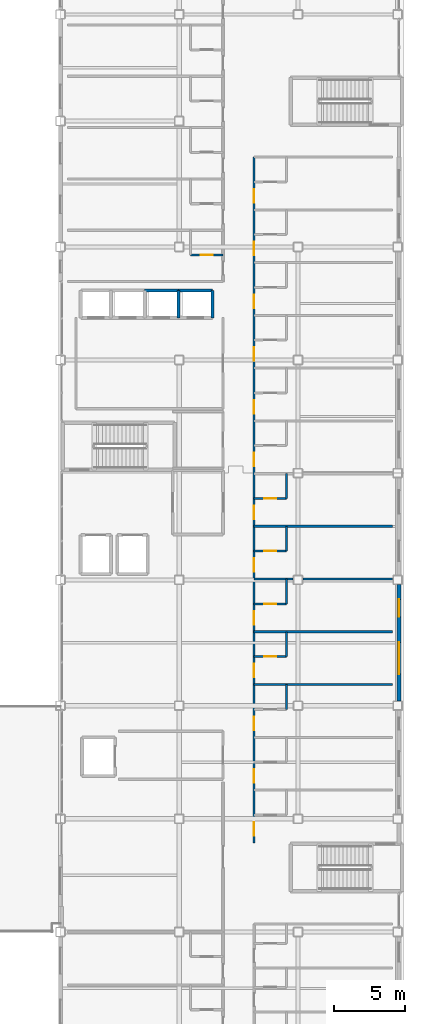
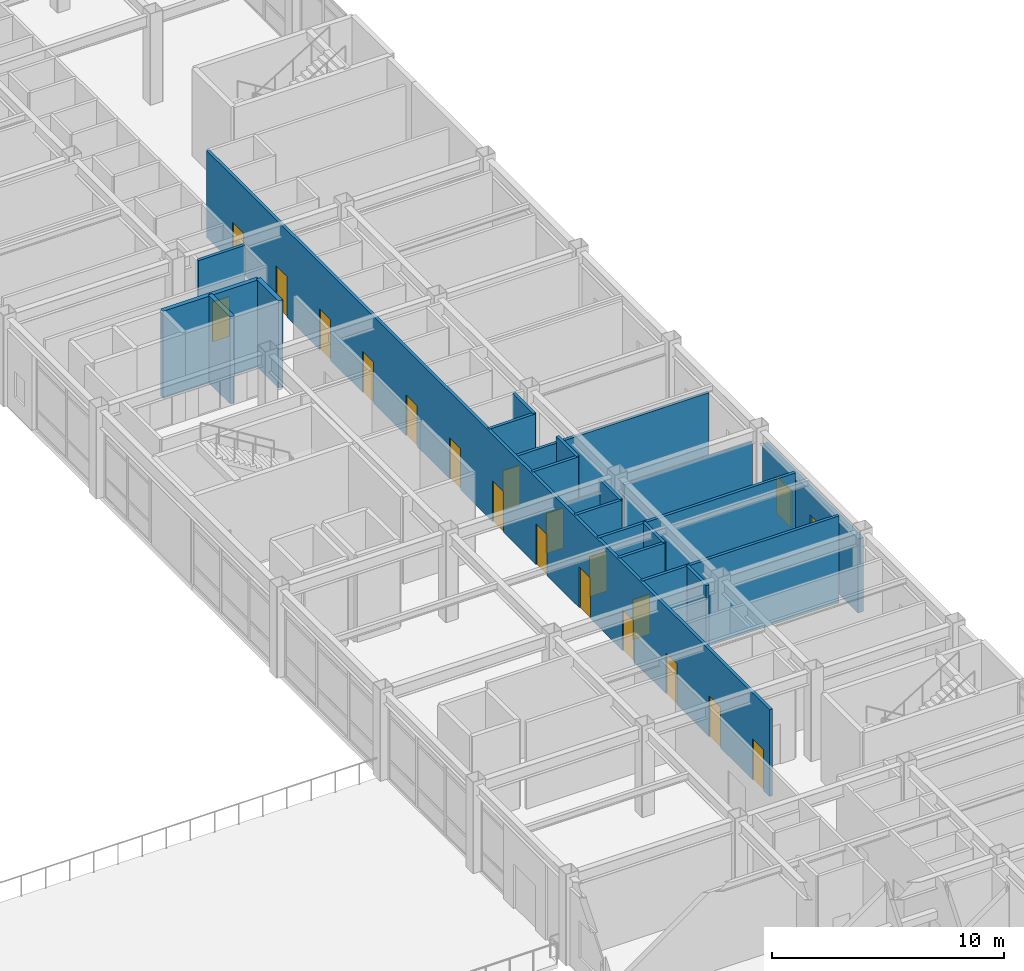
# One storey, part 52 of 61: 21 walls, 18 doors, 2 windows, 20 openings.
"""IFC4 building model written with IfcOpenShell, lengths in metres."""

from ifc_helpers import new_model, si_unit, direction, frame, frame_2d, origin, place, context, subcontext, project, spatial, rectangle, extrude, material, layer, layer_set, type_object, element, fill, save


model = new_model("IFC4")

# Units and contexts
model_context = context("Model", 3, precision=1e-05, world=origin(), true_north=direction((0.0, 1.0)))
body_context = subcontext(model_context, "Body", "Model", "MODEL_VIEW")
ifc_project = project(units=[si_unit("LENGTHUNIT", "METRE"), si_unit("AREAUNIT", "SQUARE_METRE"), si_unit("VOLUMEUNIT", "CUBIC_METRE"), si_unit("PLANEANGLEUNIT", "RADIAN"), si_unit("MASSUNIT", "GRAM", prefix="KILO")], contexts=[model_context])

# Site, building, storey
site_placement = place(None, origin())
site = spatial("IfcSite", under=ifc_project, at=site_placement, CompositionType="ELEMENT")
building_placement = place(site_placement, origin())
building = spatial("IfcBuilding", under=site, at=building_placement, Name="Kazehara Bluff Congress Hotel", CompositionType="ELEMENT")
storey_placement = place(building_placement, frame((0.0, 0.0, 19.800048828125)))
storey = spatial("IfcBuildingStorey", under=building, at=storey_placement, Name="L04", CompositionType="ELEMENT", Elevation=19.800048828125)

# Wall, openings, windows
ifc_material_1 = material(Name="Precast concrete C40/50", Category="concrete")
ifc_layer_1 = layer(ifc_material_1, 0.260009765625)
ifc_layer_set_1 = layer_set([ifc_layer_1], Name="Precast concrete C40/50")
wall_type_1 = type_object("IfcWallType", Name="TP-EW-260", PredefinedType="SOLIDWALL", material=ifc_layer_set_1)
wall_1_placement = place(storey_placement, frame((167.64990234375, 40.574951171875, 0.0), z_axis=(0.0, 0.0, 1.0), x_axis=(0.0, -1.0, 0.0)))
wall_1 = element("IfcWall", 1, at=wall_1_placement, inside=storey, type_object=wall_type_1, Name="L04 hotel facade panel 28", PredefinedType="SOLIDWALL", context=body_context, shape_type="SweptSolid", body=[
    extrude(rectangle(XDim=8.25, YDim=0.260009765625, at=frame_2d((4.125, 0.0))), origin(), (0.0, 0.0, 1.0), 3.905029296875),
])
opening_1_placement = place(wall_1_placement, frame((4.094970703125, 0.0, 0.85009765625)))
opening_1 = element("IfcOpeningElement", 2, at=opening_1_placement, cuts=wall_1, Name="Opening WN-54", PredefinedType="OPENING", context=body_context, shape_type="SweptSolid", body=[
    extrude(rectangle(XDim=2.25, YDim=1.800048828125, at=frame_2d((1.125, 0.89990234375))), frame((0.0, 0.139892578125, 0.0), z_axis=(0.0, -1.0, 0.0), x_axis=(1.0, 0.0, 0.0)), (0.0, 0.0, 1.0), 0.280029296875),
])
opening_2_placement = place(wall_1_placement, frame((1.050048828125, 0.0, 0.85009765625)))
opening_2 = element("IfcOpeningElement", 3, at=opening_2_placement, cuts=wall_1, Name="Opening WN-10", PredefinedType="OPENING", context=body_context, shape_type="SweptSolid", body=[
    extrude(rectangle(XDim=1.25, YDim=1.949951171875, at=frame_2d((0.625, 0.97509765625))), frame((0.0, 0.139892578125, 0.0), z_axis=(0.0, -1.0, 0.0), x_axis=(1.0, 0.0, 0.0)), (0.0, 0.0, 1.0), 0.280029296875),
])
ifc_material_2 = material(Name="Insulated low-E double glazing", Category="glass")
window_type_1 = type_object("IfcWindowType", Name="TP-WN-10", PartitioningType="SINGLE_PANEL", PredefinedType="WINDOW", material=ifc_material_2)
window_1_placement = place(opening_2_placement, origin())
window_1 = element("IfcWindow", 4, at=window_1_placement, inside=storey, type_object=window_type_1, Name="L04 guestroom window WN-10 40", OverallHeight=1.949951171875, OverallWidth=1.25, PartitioningType="SINGLE_PANEL", PredefinedType="WINDOW", context=body_context, shape_type="SweptSolid", body=[
    extrude(rectangle(XDim=1.25, YDim=1.949951171875, at=frame_2d((0.625, 0.97509765625))), frame((0.0, 0.030029296875, 0.0), z_axis=(0.0, -1.0, 0.0), x_axis=(1.0, 0.0, 0.0)), (0.0, 0.0, 1.0), 0.06005859375),
])
fill(opening_2, window_1)
ifc_material_3 = material(Name="Insulated low-E double glazing", Category="glass")
window_type_2 = type_object("IfcWindowType", Name="TP-WN-54", PartitioningType="DOUBLE_PANEL_VERTICAL", PredefinedType="WINDOW", material=ifc_material_3)
window_2_placement = place(opening_1_placement, origin())
window_2 = element("IfcWindow", 5, at=window_2_placement, inside=storey, type_object=window_type_2, Name="L04 guestroom window WN-54 39", OverallHeight=1.800048828125, OverallWidth=2.25, PartitioningType="SINGLE_PANEL", PredefinedType="WINDOW", context=body_context, shape_type="SweptSolid", body=[
    extrude(rectangle(XDim=2.25, YDim=1.800048828125, at=frame_2d((1.125, 0.89990234375))), frame((0.0, 0.030029296875, 0.0), z_axis=(0.0, -1.0, 0.0), x_axis=(1.0, 0.0, 0.0)), (0.0, 0.0, 1.0), 0.06005859375),
])
fill(opening_1, window_2)

# Wall
ifc_material_4 = material(Name="Fire-rated gypsum board stud partition")
ifc_layer_2 = layer(ifc_material_4, 0.14990234375)
ifc_layer_set_2 = layer_set([ifc_layer_2], Name="Fire-rated gypsum board stud partition")
wall_type_2 = type_object("IfcWallType", Name="TP-PT-150", PredefinedType="PARTITIONING", material=ifc_layer_set_2)
wall_2_placement = place(storey_placement, frame((157.39990234375, 33.489990234375, 0.0), z_axis=(0.0, 0.0, 1.0), x_axis=(1.0, 0.0, 0.0)))
element("IfcWall", 6, at=wall_2_placement, inside=storey, type_object=wall_type_2, Name="L04 partition PT-150 397", PredefinedType="PARTITIONING", context=body_context, shape_type="SweptSolid", body=[
    extrude(rectangle(XDim=9.800048828125, YDim=0.14990234375, at=frame_2d((4.89990234375, 0.0))), origin(), (0.0, 0.0, 1.0), 4.56494140625),
])

# Wall, opening, door
wall_3_placement = place(storey_placement, frame((157.39990234375, 35.47998046875, 0.0), z_axis=(0.0, 0.0, 1.0), x_axis=(1.0, 0.0, 0.0)))
wall_3 = element("IfcWall", 7, at=wall_3_placement, inside=storey, type_object=wall_type_2, Name="L04 partition PT-150 398", PredefinedType="PARTITIONING", context=body_context, shape_type="SweptSolid", body=[
    extrude(rectangle(XDim=2.300048828125, YDim=0.14990234375, at=frame_2d((1.14990234375, 0.0))), origin(), (0.0, 0.0, 1.0), 4.56494140625),
])
opening_3_placement = place(wall_3_placement, frame((0.72509765625, 0.0, 0.0)))
opening_3 = element("IfcOpeningElement", 8, at=opening_3_placement, cuts=wall_3, Name="Opening BD-01", PredefinedType="OPENING", context=body_context, shape_type="SweptSolid", body=[
    extrude(rectangle(XDim=0.85009765625, YDim=2.10009765625, at=frame_2d((0.425048828125, 1.050048828125))), frame((0.0, 0.0849609375, 0.0), z_axis=(0.0, -1.0, 0.0), x_axis=(1.0, 0.0, 0.0)), (0.0, 0.0, 1.0), 0.169921875),
])
ifc_material_5 = material(Name="Architectural oak veneer leaf")
door_type_1 = type_object("IfcDoorType", Name="TP-BD-01", OperationType="NOTDEFINED", PredefinedType="DOOR", material=ifc_material_5)
door_1_placement = place(opening_3_placement, origin())
door_1 = element("IfcDoor", 9, at=door_1_placement, inside=storey, type_object=door_type_1, Name="L04 En-suite Bathroom 57 door", OperationType="SINGLE_SWING_LEFT", OverallHeight=2.10009765625, OverallWidth=0.85009765625, PredefinedType="DOOR", context=body_context, shape_type="SweptSolid", body=[
    extrude(rectangle(XDim=0.85009765625, YDim=2.10009765625, at=frame_2d((0.425048828125, 1.050048828125))), frame((0.0, 0.02490234375, 0.0), z_axis=(0.0, -1.0, 0.0), x_axis=(1.0, 0.0, 0.0)), (0.0, 0.0, 1.0), 0.050048828125),
])
fill(opening_3, door_1)

# Wall
wall_4_placement = place(storey_placement, frame((157.39990234375, 37.22998046875, 0.0), z_axis=(0.0, 0.0, 1.0), x_axis=(1.0, 0.0, 0.0)))
element("IfcWall", 10, at=wall_4_placement, inside=storey, type_object=wall_type_2, Name="L04 partition PT-150 399", PredefinedType="PARTITIONING", context=body_context, shape_type="SweptSolid", body=[
    extrude(rectangle(XDim=9.800048828125, YDim=0.14990234375, at=frame_2d((4.89990234375, 0.0))), origin(), (0.0, 0.0, 1.0), 4.56494140625),
])

# Wall, opening, door
wall_5_placement = place(storey_placement, frame((157.39990234375, 39.199951171875, 0.0), z_axis=(0.0, 0.0, 1.0), x_axis=(1.0, 0.0, 0.0)))
wall_5 = element("IfcWall", 11, at=wall_5_placement, inside=storey, type_object=wall_type_2, Name="L04 partition PT-150 400", PredefinedType="PARTITIONING", context=body_context, shape_type="SweptSolid", body=[
    extrude(rectangle(XDim=2.300048828125, YDim=0.14990234375, at=frame_2d((1.14990234375, 0.0))), origin(), (0.0, 0.0, 1.0), 4.56494140625),
])
opening_4_placement = place(wall_5_placement, frame((0.72509765625, 0.0, 0.0)))
opening_4 = element("IfcOpeningElement", 12, at=opening_4_placement, cuts=wall_5, Name="Opening BD-01", PredefinedType="OPENING", context=body_context, shape_type="SweptSolid", body=[
    extrude(rectangle(XDim=0.85009765625, YDim=2.10009765625, at=frame_2d((0.425048828125, 1.050048828125))), frame((0.0, 0.0849609375, 0.0), z_axis=(0.0, -1.0, 0.0), x_axis=(1.0, 0.0, 0.0)), (0.0, 0.0, 1.0), 0.169921875),
])
door_2_placement = place(opening_4_placement, origin())
door_2 = element("IfcDoor", 13, at=door_2_placement, inside=storey, type_object=door_type_1, Name="L04 En-suite Bathroom 58 door", OperationType="SINGLE_SWING_LEFT", OverallHeight=2.10009765625, OverallWidth=0.85009765625, PredefinedType="DOOR", context=body_context, shape_type="SweptSolid", body=[
    extrude(rectangle(XDim=0.85009765625, YDim=2.10009765625, at=frame_2d((0.425048828125, 1.050048828125))), frame((0.0, 0.02490234375, 0.0), z_axis=(0.0, -1.0, 0.0), x_axis=(1.0, 0.0, 0.0)), (0.0, 0.0, 1.0), 0.050048828125),
])
fill(opening_4, door_2)

# Walls
wall_6_placement = place(storey_placement, frame((157.39990234375, 40.949951171875, 0.0), z_axis=(0.0, 0.0, 1.0), x_axis=(1.0, 0.0, 0.0)))
element("IfcWall", 14, at=wall_6_placement, inside=storey, type_object=wall_type_2, Name="L04 partition PT-150 401", PredefinedType="PARTITIONING", context=body_context, shape_type="SweptSolid", body=[
    extrude(rectangle(XDim=2.755126953125, YDim=0.14990234375, at=frame_2d((1.37744140625, 0.0))), origin(), (0.0, 0.0, 1.0), 3.905029296875),
])
wall_7_placement = place(storey_placement, frame((160.844970703125, 40.949951171875, 0.0), z_axis=(0.0, 0.0, 1.0), x_axis=(1.0, 0.0, 0.0)))
element("IfcWall", 15, at=wall_7_placement, inside=storey, type_object=wall_type_2, Name="L04 partition PT-150 402", PredefinedType="PARTITIONING", context=body_context, shape_type="SweptSolid", body=[
    extrude(rectangle(XDim=6.35498046875, YDim=0.14990234375, at=frame_2d((3.177490234375, 0.0))), origin(), (0.0, 0.0, 1.0), 3.905029296875),
])

# Wall, opening, door
wall_8_placement = place(storey_placement, frame((157.39990234375, 42.93994140625, 0.0), z_axis=(0.0, 0.0, 1.0), x_axis=(1.0, 0.0, 0.0)))
wall_8 = element("IfcWall", 16, at=wall_8_placement, inside=storey, type_object=wall_type_2, Name="L04 partition PT-150 403", PredefinedType="PARTITIONING", context=body_context, shape_type="SweptSolid", body=[
    extrude(rectangle(XDim=2.300048828125, YDim=0.14990234375, at=frame_2d((1.14990234375, 0.0))), origin(), (0.0, 0.0, 1.0), 4.56494140625),
])
opening_5_placement = place(wall_8_placement, frame((0.72509765625, 0.0, 0.0)))
opening_5 = element("IfcOpeningElement", 17, at=opening_5_placement, cuts=wall_8, Name="Opening BD-01", PredefinedType="OPENING", context=body_context, shape_type="SweptSolid", body=[
    extrude(rectangle(XDim=0.85009765625, YDim=2.10009765625, at=frame_2d((0.425048828125, 1.050048828125))), frame((0.0, 0.0849609375, 0.0), z_axis=(0.0, -1.0, 0.0), x_axis=(1.0, 0.0, 0.0)), (0.0, 0.0, 1.0), 0.169921875),
])
door_3_placement = place(opening_5_placement, origin())
door_3 = element("IfcDoor", 18, at=door_3_placement, inside=storey, type_object=door_type_1, Name="L04 En-suite Bathroom 59 door", OperationType="SINGLE_SWING_LEFT", OverallHeight=2.10009765625, OverallWidth=0.85009765625, PredefinedType="DOOR", context=body_context, shape_type="SweptSolid", body=[
    extrude(rectangle(XDim=0.85009765625, YDim=2.10009765625, at=frame_2d((0.425048828125, 1.050048828125))), frame((0.0, 0.02490234375, 0.0), z_axis=(0.0, -1.0, 0.0), x_axis=(1.0, 0.0, 0.0)), (0.0, 0.0, 1.0), 0.050048828125),
])
fill(opening_5, door_3)

# Wall
wall_9_placement = place(storey_placement, frame((157.39990234375, 44.68994140625, 0.0), z_axis=(0.0, 0.0, 1.0), x_axis=(1.0, 0.0, 0.0)))
element("IfcWall", 19, at=wall_9_placement, inside=storey, type_object=wall_type_2, Name="L04 partition PT-150 405", PredefinedType="PARTITIONING", context=body_context, shape_type="SweptSolid", body=[
    extrude(rectangle(XDim=9.800048828125, YDim=0.14990234375, at=frame_2d((4.89990234375, 0.0))), origin(), (0.0, 0.0, 1.0), 4.2548828125),
])

# Wall, opening, door
wall_10_placement = place(storey_placement, frame((157.39990234375, 46.659912109375, 0.0), z_axis=(0.0, 0.0, 1.0), x_axis=(1.0, 0.0, 0.0)))
wall_10 = element("IfcWall", 20, at=wall_10_placement, inside=storey, type_object=wall_type_2, Name="L04 partition PT-150 406", PredefinedType="PARTITIONING", context=body_context, shape_type="SweptSolid", body=[
    extrude(rectangle(XDim=2.300048828125, YDim=0.14990234375, at=frame_2d((1.14990234375, 0.0))), origin(), (0.0, 0.0, 1.0), 4.56494140625),
])
opening_6_placement = place(wall_10_placement, frame((0.72509765625, 0.0, 0.0)))
opening_6 = element("IfcOpeningElement", 21, at=opening_6_placement, cuts=wall_10, Name="Opening BD-01", PredefinedType="OPENING", context=body_context, shape_type="SweptSolid", body=[
    extrude(rectangle(XDim=0.85009765625, YDim=2.10009765625, at=frame_2d((0.425048828125, 1.050048828125))), frame((0.0, 0.0849609375, 0.0), z_axis=(0.0, -1.0, 0.0), x_axis=(1.0, 0.0, 0.0)), (0.0, 0.0, 1.0), 0.169921875),
])
door_4_placement = place(opening_6_placement, origin())
door_4 = element("IfcDoor", 22, at=door_4_placement, inside=storey, type_object=door_type_1, Name="L04 En-suite Bathroom 60 door", OperationType="SINGLE_SWING_LEFT", OverallHeight=2.10009765625, OverallWidth=0.85009765625, PredefinedType="DOOR", context=body_context, shape_type="SweptSolid", body=[
    extrude(rectangle(XDim=0.85009765625, YDim=2.10009765625, at=frame_2d((0.425048828125, 1.050048828125))), frame((0.0, 0.02490234375, 0.0), z_axis=(0.0, -1.0, 0.0), x_axis=(1.0, 0.0, 0.0)), (0.0, 0.0, 1.0), 0.050048828125),
])
fill(opening_6, door_4)

wall_11_placement = place(storey_placement, frame((152.89990234375, 63.8798828125, 0.0), z_axis=(0.0, 0.0, 1.0), x_axis=(1.0, 0.0, 0.0)))
wall_11 = element("IfcWall", 23, at=wall_11_placement, inside=storey, type_object=wall_type_2, Name="L04 partition PT-150 423", PredefinedType="PARTITIONING", context=body_context, shape_type="SweptSolid", body=[
    extrude(rectangle(XDim=2.300048828125, YDim=0.14990234375, at=frame_2d((1.14990234375, 0.0))), origin(), (0.0, 0.0, 1.0), 4.56494140625),
])
opening_7_placement = place(wall_11_placement, frame((0.72509765625, 0.0, 0.0)))
opening_7 = element("IfcOpeningElement", 24, at=opening_7_placement, cuts=wall_11, Name="Opening BD-01", PredefinedType="OPENING", context=body_context, shape_type="SweptSolid", body=[
    extrude(rectangle(XDim=0.85009765625, YDim=2.10009765625, at=frame_2d((0.425048828125, 1.050048828125))), frame((0.0, 0.0849609375, 0.0), z_axis=(0.0, -1.0, 0.0), x_axis=(1.0, 0.0, 0.0)), (0.0, 0.0, 1.0), 0.169921875),
])
door_5_placement = place(opening_7_placement, origin())
door_5 = element("IfcDoor", 25, at=door_5_placement, inside=storey, type_object=door_type_1, Name="L04 En-suite Bathroom 35 door", OperationType="SINGLE_SWING_LEFT", OverallHeight=2.10009765625, OverallWidth=0.85009765625, PredefinedType="DOOR", context=body_context, shape_type="SweptSolid", body=[
    extrude(rectangle(XDim=0.85009765625, YDim=2.10009765625, at=frame_2d((0.425048828125, 1.050048828125))), frame((0.0, 0.02490234375, 0.0), z_axis=(0.0, -1.0, 0.0), x_axis=(1.0, 0.0, 0.0)), (0.0, 0.0, 1.0), 0.050048828125),
])
fill(opening_7, door_5)

# Wall, openings, doors
wall_12_placement = place(storey_placement, frame((157.39990234375, 22.300048828125, 0.0), z_axis=(0.0, 0.0, 1.0), x_axis=(0.0, 1.0, 0.0)))
wall_12 = element("IfcWall", 26, at=wall_12_placement, inside=storey, type_object=wall_type_2, Name="L04 partition PT-150 486", PredefinedType="PARTITIONING", context=body_context, shape_type="SweptSolid", body=[
    extrude(rectangle(XDim=48.5, YDim=0.14990234375, at=frame_2d((24.25, 0.0))), origin(), (0.0, 0.0, 1.0), 4.56494140625),
])
opening_8_placement = place(wall_12_placement, frame((0.514892578125, 0.0, 0.0)))
opening_8 = element("IfcOpeningElement", 27, at=opening_8_placement, cuts=wall_12, Name="Opening GD-01", PredefinedType="OPENING", context=body_context, shape_type="SweptSolid", body=[
    extrude(rectangle(XDim=0.949951171875, YDim=2.14990234375, at=frame_2d((0.47509765625, 1.074951171875))), frame((0.0, 0.0849609375, 0.0), z_axis=(0.0, -1.0, 0.0), x_axis=(1.0, 0.0, 0.0)), (0.0, 0.0, 1.0), 0.169921875),
])
opening_9_placement = place(wall_12_placement, frame((4.2451171875, 0.0, 0.0)))
opening_9 = element("IfcOpeningElement", 28, at=opening_9_placement, cuts=wall_12, Name="Opening GD-01", PredefinedType="OPENING", context=body_context, shape_type="SweptSolid", body=[
    extrude(rectangle(XDim=0.949951171875, YDim=2.14990234375, at=frame_2d((0.47509765625, 1.074951171875))), frame((0.0, 0.0849609375, 0.0), z_axis=(0.0, -1.0, 0.0), x_axis=(1.0, 0.0, 0.0)), (0.0, 0.0, 1.0), 0.169921875),
])
opening_10_placement = place(wall_12_placement, frame((7.97509765625, 0.0, 0.0)))
opening_10 = element("IfcOpeningElement", 29, at=opening_10_placement, cuts=wall_12, Name="Opening GD-01", PredefinedType="OPENING", context=body_context, shape_type="SweptSolid", body=[
    extrude(rectangle(XDim=0.949951171875, YDim=2.14990234375, at=frame_2d((0.47509765625, 1.074951171875))), frame((0.0, 0.0849609375, 0.0), z_axis=(0.0, -1.0, 0.0), x_axis=(1.0, 0.0, 0.0)), (0.0, 0.0, 1.0), 0.169921875),
])
opening_11_placement = place(wall_12_placement, frame((11.7099609375, 0.0, 0.0)))
opening_11 = element("IfcOpeningElement", 30, at=opening_11_placement, cuts=wall_12, Name="Opening GD-01", PredefinedType="OPENING", context=body_context, shape_type="SweptSolid", body=[
    extrude(rectangle(XDim=0.949951171875, YDim=2.14990234375, at=frame_2d((0.47509765625, 1.074951171875))), frame((0.0, 0.0849609375, 0.0), z_axis=(0.0, -1.0, 0.0), x_axis=(1.0, 0.0, 0.0)), (0.0, 0.0, 1.0), 0.169921875),
])
opening_12_placement = place(wall_12_placement, frame((15.43994140625, 0.0, 0.0)))
opening_12 = element("IfcOpeningElement", 31, at=opening_12_placement, cuts=wall_12, Name="Opening GD-01", PredefinedType="OPENING", context=body_context, shape_type="SweptSolid", body=[
    extrude(rectangle(XDim=0.949951171875, YDim=2.14990234375, at=frame_2d((0.47509765625, 1.074951171875))), frame((0.0, 0.0849609375, 0.0), z_axis=(0.0, -1.0, 0.0), x_axis=(1.0, 0.0, 0.0)), (0.0, 0.0, 1.0), 0.169921875),
])
opening_13_placement = place(wall_12_placement, frame((19.169921875, 0.0, 0.0)))
opening_13 = element("IfcOpeningElement", 32, at=opening_13_placement, cuts=wall_12, Name="Opening GD-01", PredefinedType="OPENING", context=body_context, shape_type="SweptSolid", body=[
    extrude(rectangle(XDim=0.949951171875, YDim=2.14990234375, at=frame_2d((0.47509765625, 1.074951171875))), frame((0.0, 0.0849609375, 0.0), z_axis=(0.0, -1.0, 0.0), x_axis=(1.0, 0.0, 0.0)), (0.0, 0.0, 1.0), 0.169921875),
])
opening_14_placement = place(wall_12_placement, frame((22.89990234375, 0.0, 0.0)))
opening_14 = element("IfcOpeningElement", 33, at=opening_14_placement, cuts=wall_12, Name="Opening GD-01", PredefinedType="OPENING", context=body_context, shape_type="SweptSolid", body=[
    extrude(rectangle(XDim=0.949951171875, YDim=2.14990234375, at=frame_2d((0.47509765625, 1.074951171875))), frame((0.0, 0.0849609375, 0.0), z_axis=(0.0, -1.0, 0.0), x_axis=(1.0, 0.0, 0.0)), (0.0, 0.0, 1.0), 0.169921875),
])
opening_15_placement = place(wall_12_placement, frame((26.6298828125, 0.0, 0.0)))
opening_15 = element("IfcOpeningElement", 34, at=opening_15_placement, cuts=wall_12, Name="Opening GD-01", PredefinedType="OPENING", context=body_context, shape_type="SweptSolid", body=[
    extrude(rectangle(XDim=0.949951171875, YDim=2.14990234375, at=frame_2d((0.47509765625, 1.074951171875))), frame((0.0, 0.0849609375, 0.0), z_axis=(0.0, -1.0, 0.0), x_axis=(1.0, 0.0, 0.0)), (0.0, 0.0, 1.0), 0.169921875),
])
opening_16_placement = place(wall_12_placement, frame((30.360107421875, 0.0, 0.0)))
opening_16 = element("IfcOpeningElement", 35, at=opening_16_placement, cuts=wall_12, Name="Opening GD-01", PredefinedType="OPENING", context=body_context, shape_type="SweptSolid", body=[
    extrude(rectangle(XDim=0.949951171875, YDim=2.14990234375, at=frame_2d((0.47509765625, 1.074951171875))), frame((0.0, 0.0849609375, 0.0), z_axis=(0.0, -1.0, 0.0), x_axis=(1.0, 0.0, 0.0)), (0.0, 0.0, 1.0), 0.169921875),
])
opening_17_placement = place(wall_12_placement, frame((34.090087890625, 0.0, 0.0)))
opening_17 = element("IfcOpeningElement", 36, at=opening_17_placement, cuts=wall_12, Name="Opening GD-01", PredefinedType="OPENING", context=body_context, shape_type="SweptSolid", body=[
    extrude(rectangle(XDim=0.949951171875, YDim=2.14990234375, at=frame_2d((0.47509765625, 1.074951171875))), frame((0.0, 0.0849609375, 0.0), z_axis=(0.0, -1.0, 0.0), x_axis=(1.0, 0.0, 0.0)), (0.0, 0.0, 1.0), 0.169921875),
])
opening_18_placement = place(wall_12_placement, frame((37.824951171875, 0.0, 0.0)))
opening_18 = element("IfcOpeningElement", 37, at=opening_18_placement, cuts=wall_12, Name="Opening GD-01", PredefinedType="OPENING", context=body_context, shape_type="SweptSolid", body=[
    extrude(rectangle(XDim=0.949951171875, YDim=2.14990234375, at=frame_2d((0.47509765625, 1.074951171875))), frame((0.0, 0.0849609375, 0.0), z_axis=(0.0, -1.0, 0.0), x_axis=(1.0, 0.0, 0.0)), (0.0, 0.0, 1.0), 0.169921875),
])
opening_19_placement = place(wall_12_placement, frame((41.554931640625, 0.0, 0.0)))
opening_19 = element("IfcOpeningElement", 38, at=opening_19_placement, cuts=wall_12, Name="Opening GD-01", PredefinedType="OPENING", context=body_context, shape_type="SweptSolid", body=[
    extrude(rectangle(XDim=0.949951171875, YDim=2.14990234375, at=frame_2d((0.47509765625, 1.074951171875))), frame((0.0, 0.0849609375, 0.0), z_axis=(0.0, -1.0, 0.0), x_axis=(1.0, 0.0, 0.0)), (0.0, 0.0, 1.0), 0.169921875),
])
opening_20_placement = place(wall_12_placement, frame((45.284912109375, 0.0, 0.0)))
opening_20 = element("IfcOpeningElement", 39, at=opening_20_placement, cuts=wall_12, Name="Opening GD-01", PredefinedType="OPENING", context=body_context, shape_type="SweptSolid", body=[
    extrude(rectangle(XDim=0.949951171875, YDim=2.14990234375, at=frame_2d((0.47509765625, 1.074951171875))), frame((0.0, 0.0849609375, 0.0), z_axis=(0.0, -1.0, 0.0), x_axis=(1.0, 0.0, 0.0)), (0.0, 0.0, 1.0), 0.169921875),
])
ifc_material_6 = material(Name="Architectural oak veneer leaf")
door_type_2 = type_object("IfcDoorType", Name="TP-GD-01", OperationType="NOTDEFINED", PredefinedType="DOOR", material=ifc_material_6)
door_6_placement = place(opening_8_placement, origin())
door_6 = element("IfcDoor", 40, at=door_6_placement, inside=storey, type_object=door_type_2, Name="L04 Deluxe Twin Guest Room 54 door", OperationType="SINGLE_SWING_RIGHT", OverallHeight=2.14990234375, OverallWidth=0.949951171875, PredefinedType="DOOR", context=body_context, shape_type="SweptSolid", body=[
    extrude(rectangle(XDim=0.949951171875, YDim=2.14990234375, at=frame_2d((0.47509765625, 1.074951171875))), frame((0.0, 0.02490234375, 0.0), z_axis=(0.0, -1.0, 0.0), x_axis=(1.0, 0.0, 0.0)), (0.0, 0.0, 1.0), 0.050048828125),
])
fill(opening_8, door_6)
door_7_placement = place(opening_9_placement, origin())
door_7 = element("IfcDoor", 41, at=door_7_placement, inside=storey, type_object=door_type_2, Name="L04 Standard King Guest Room 55 door", OperationType="SINGLE_SWING_RIGHT", OverallHeight=2.14990234375, OverallWidth=0.949951171875, PredefinedType="DOOR", context=body_context, shape_type="SweptSolid", body=[
    extrude(rectangle(XDim=0.949951171875, YDim=2.14990234375, at=frame_2d((0.47509765625, 1.074951171875))), frame((0.0, 0.02490234375, 0.0), z_axis=(0.0, -1.0, 0.0), x_axis=(1.0, 0.0, 0.0)), (0.0, 0.0, 1.0), 0.050048828125),
])
fill(opening_9, door_7)
door_8_placement = place(opening_10_placement, origin())
door_8 = element("IfcDoor", 42, at=door_8_placement, inside=storey, type_object=door_type_2, Name="L04 Deluxe Twin Guest Room 56 door", OperationType="SINGLE_SWING_RIGHT", OverallHeight=2.14990234375, OverallWidth=0.949951171875, PredefinedType="DOOR", context=body_context, shape_type="SweptSolid", body=[
    extrude(rectangle(XDim=0.949951171875, YDim=2.14990234375, at=frame_2d((0.47509765625, 1.074951171875))), frame((0.0, 0.02490234375, 0.0), z_axis=(0.0, -1.0, 0.0), x_axis=(1.0, 0.0, 0.0)), (0.0, 0.0, 1.0), 0.050048828125),
])
fill(opening_10, door_8)
door_9_placement = place(opening_11_placement, origin())
door_9 = element("IfcDoor", 43, at=door_9_placement, inside=storey, type_object=door_type_2, Name="L04 Standard King Guest Room 57 door", OperationType="SINGLE_SWING_RIGHT", OverallHeight=2.14990234375, OverallWidth=0.949951171875, PredefinedType="DOOR", context=body_context, shape_type="SweptSolid", body=[
    extrude(rectangle(XDim=0.949951171875, YDim=2.14990234375, at=frame_2d((0.47509765625, 1.074951171875))), frame((0.0, 0.02490234375, 0.0), z_axis=(0.0, -1.0, 0.0), x_axis=(1.0, 0.0, 0.0)), (0.0, 0.0, 1.0), 0.050048828125),
])
fill(opening_11, door_9)
door_10_placement = place(opening_12_placement, origin())
door_10 = element("IfcDoor", 44, at=door_10_placement, inside=storey, type_object=door_type_2, Name="L04 Deluxe Twin Guest Room 58 door", OperationType="SINGLE_SWING_RIGHT", OverallHeight=2.14990234375, OverallWidth=0.949951171875, PredefinedType="DOOR", context=body_context, shape_type="SweptSolid", body=[
    extrude(rectangle(XDim=0.949951171875, YDim=2.14990234375, at=frame_2d((0.47509765625, 1.074951171875))), frame((0.0, 0.02490234375, 0.0), z_axis=(0.0, -1.0, 0.0), x_axis=(1.0, 0.0, 0.0)), (0.0, 0.0, 1.0), 0.050048828125),
])
fill(opening_12, door_10)
door_11_placement = place(opening_13_placement, origin())
door_11 = element("IfcDoor", 45, at=door_11_placement, inside=storey, type_object=door_type_2, Name="L04 Standard King Guest Room 59 door", OperationType="SINGLE_SWING_RIGHT", OverallHeight=2.14990234375, OverallWidth=0.949951171875, PredefinedType="DOOR", context=body_context, shape_type="SweptSolid", body=[
    extrude(rectangle(XDim=0.949951171875, YDim=2.14990234375, at=frame_2d((0.47509765625, 1.074951171875))), frame((0.0, 0.02490234375, 0.0), z_axis=(0.0, -1.0, 0.0), x_axis=(1.0, 0.0, 0.0)), (0.0, 0.0, 1.0), 0.050048828125),
])
fill(opening_13, door_11)
door_12_placement = place(opening_14_placement, origin())
door_12 = element("IfcDoor", 46, at=door_12_placement, inside=storey, type_object=door_type_2, Name="L04 Deluxe Twin Guest Room 60 door", OperationType="SINGLE_SWING_RIGHT", OverallHeight=2.14990234375, OverallWidth=0.949951171875, PredefinedType="DOOR", context=body_context, shape_type="SweptSolid", body=[
    extrude(rectangle(XDim=0.949951171875, YDim=2.14990234375, at=frame_2d((0.47509765625, 1.074951171875))), frame((0.0, 0.02490234375, 0.0), z_axis=(0.0, -1.0, 0.0), x_axis=(1.0, 0.0, 0.0)), (0.0, 0.0, 1.0), 0.050048828125),
])
fill(opening_14, door_12)
door_13_placement = place(opening_15_placement, origin())
door_13 = element("IfcDoor", 47, at=door_13_placement, inside=storey, type_object=door_type_2, Name="L04 Standard King Guest Room 61 door", OperationType="SINGLE_SWING_RIGHT", OverallHeight=2.14990234375, OverallWidth=0.949951171875, PredefinedType="DOOR", context=body_context, shape_type="SweptSolid", body=[
    extrude(rectangle(XDim=0.949951171875, YDim=2.14990234375, at=frame_2d((0.47509765625, 1.074951171875))), frame((0.0, 0.02490234375, 0.0), z_axis=(0.0, -1.0, 0.0), x_axis=(1.0, 0.0, 0.0)), (0.0, 0.0, 1.0), 0.050048828125),
])
fill(opening_15, door_13)
door_14_placement = place(opening_16_placement, origin())
door_14 = element("IfcDoor", 48, at=door_14_placement, inside=storey, type_object=door_type_2, Name="L04 Deluxe Twin Guest Room 62 door", OperationType="SINGLE_SWING_RIGHT", OverallHeight=2.14990234375, OverallWidth=0.949951171875, PredefinedType="DOOR", context=body_context, shape_type="SweptSolid", body=[
    extrude(rectangle(XDim=0.949951171875, YDim=2.14990234375, at=frame_2d((0.47509765625, 1.074951171875))), frame((0.0, 0.02490234375, 0.0), z_axis=(0.0, -1.0, 0.0), x_axis=(1.0, 0.0, 0.0)), (0.0, 0.0, 1.0), 0.050048828125),
])
fill(opening_16, door_14)
door_15_placement = place(opening_17_placement, origin())
door_15 = element("IfcDoor", 49, at=door_15_placement, inside=storey, type_object=door_type_2, Name="L04 Standard King Guest Room 63 door", OperationType="SINGLE_SWING_RIGHT", OverallHeight=2.14990234375, OverallWidth=0.949951171875, PredefinedType="DOOR", context=body_context, shape_type="SweptSolid", body=[
    extrude(rectangle(XDim=0.949951171875, YDim=2.14990234375, at=frame_2d((0.47509765625, 1.074951171875))), frame((0.0, 0.02490234375, 0.0), z_axis=(0.0, -1.0, 0.0), x_axis=(1.0, 0.0, 0.0)), (0.0, 0.0, 1.0), 0.050048828125),
])
fill(opening_17, door_15)
door_16_placement = place(opening_18_placement, origin())
door_16 = element("IfcDoor", 50, at=door_16_placement, inside=storey, type_object=door_type_2, Name="L04 Deluxe Twin Guest Room 64 door", OperationType="SINGLE_SWING_RIGHT", OverallHeight=2.14990234375, OverallWidth=0.949951171875, PredefinedType="DOOR", context=body_context, shape_type="SweptSolid", body=[
    extrude(rectangle(XDim=0.949951171875, YDim=2.14990234375, at=frame_2d((0.47509765625, 1.074951171875))), frame((0.0, 0.02490234375, 0.0), z_axis=(0.0, -1.0, 0.0), x_axis=(1.0, 0.0, 0.0)), (0.0, 0.0, 1.0), 0.050048828125),
])
fill(opening_18, door_16)
door_17_placement = place(opening_19_placement, origin())
door_17 = element("IfcDoor", 51, at=door_17_placement, inside=storey, type_object=door_type_2, Name="L04 Standard King Guest Room 65 door", OperationType="SINGLE_SWING_RIGHT", OverallHeight=2.14990234375, OverallWidth=0.949951171875, PredefinedType="DOOR", context=body_context, shape_type="SweptSolid", body=[
    extrude(rectangle(XDim=0.949951171875, YDim=2.14990234375, at=frame_2d((0.47509765625, 1.074951171875))), frame((0.0, 0.02490234375, 0.0), z_axis=(0.0, -1.0, 0.0), x_axis=(1.0, 0.0, 0.0)), (0.0, 0.0, 1.0), 0.050048828125),
])
fill(opening_19, door_17)
door_18_placement = place(opening_20_placement, origin())
door_18 = element("IfcDoor", 52, at=door_18_placement, inside=storey, type_object=door_type_2, Name="L04 Deluxe Twin Guest Room 66 door", OperationType="SINGLE_SWING_RIGHT", OverallHeight=2.14990234375, OverallWidth=0.949951171875, PredefinedType="DOOR", context=body_context, shape_type="SweptSolid", body=[
    extrude(rectangle(XDim=0.949951171875, YDim=2.14990234375, at=frame_2d((0.47509765625, 1.074951171875))), frame((0.0, 0.02490234375, 0.0), z_axis=(0.0, -1.0, 0.0), x_axis=(1.0, 0.0, 0.0)), (0.0, 0.0, 1.0), 0.050048828125),
])
fill(opening_20, door_18)

# Walls
for number, where, z_axis, x_axis, name in (
    (53, (159.699951171875, 31.739990234375, 0.0), (0.0, 0.0, 1.0), (0.0, 1.0, 0.0), "L04 partition PT-150 494"),
    (54, (159.699951171875, 35.47509765625, 0.0), (0.0, 0.0, 1.0), (0.0, 1.0, 0.0), "L04 partition PT-150 495"),
    (55, (159.699951171875, 39.205078125, 0.0), (0.0, 0.0, 1.0), (0.0, 1.0, 0.0), "L04 partition PT-150 496"),
    (56, (159.699951171875, 42.93505859375, 0.0), (0.0, 0.0, 1.0), (0.0, 1.0, 0.0), "L04 partition PT-150 497"),
    (57, (159.699951171875, 46.6650390625, 0.0), (0.0, 0.0, 1.0), (0.0, 1.0, 0.0), "L04 partition PT-150 498"),
):
    element("IfcWall", number, at=place(storey_placement, frame(where, z_axis=z_axis, x_axis=x_axis)), inside=storey, type_object=wall_type_2, Name=name, PredefinedType="PARTITIONING", context=body_context, shape_type="SweptSolid", body=[
        extrude(rectangle(XDim=1.75, YDim=0.14990234375, at=frame_2d((0.875, 0.0))), origin(), (0.0, 0.0, 1.0), 4.56494140625),
    ])
ifc_material_7 = material(Name="Concrete C40/50", Category="concrete")
ifc_layer_3 = layer(ifc_material_7, 0.219970703125)
ifc_layer_set_3 = layer_set([ifc_layer_3], Name="Concrete C40/50")
wall_type_3 = type_object("IfcWallType", Name="TP-SW-RC", PredefinedType="SHEAR", material=ifc_layer_set_3)
wall_13_placement = place(storey_placement, frame((149.659912109375, 61.360107421875, 0.0), z_axis=(0.0, 0.0, 1.0), x_axis=(1.0, 0.0, 0.0)))
element("IfcWall", 58, at=wall_13_placement, inside=storey, type_object=wall_type_3, Name="L04 EL-P3 lift shaft wall +Y", PredefinedType="SHEAR", context=body_context, shape_type="SweptSolid", body=[
    extrude(rectangle(XDim=2.400146484375, YDim=0.219970703125, at=frame_2d((1.2001953125, 0.0))), origin(), (0.0, 0.0, 1.0), 4.579833984375),
])
wall_14_placement = place(storey_placement, frame((152.06005859375, 59.43994140625, 0.0), z_axis=(0.0, 0.0, 1.0), x_axis=(0.0, 1.0, 0.0)))
element("IfcWall", 59, at=wall_14_placement, inside=storey, type_object=wall_type_3, Name="L04 EL-P3 lift shaft wall +X", PredefinedType="SHEAR", context=body_context, shape_type="SweptSolid", body=[
    extrude(rectangle(XDim=1.920166015625, YDim=0.219970703125, at=frame_2d((0.9599609375, 0.0))), origin(), (0.0, 0.0, 1.0), 4.579833984375),
])
wall_15_placement = place(storey_placement, frame((152.06005859375, 61.360107421875, 0.0), z_axis=(0.0, 0.0, 1.0), x_axis=(1.0, 0.0, 0.0)))
element("IfcWall", 60, at=wall_15_placement, inside=storey, type_object=wall_type_3, Name="L04 EL-P4 lift shaft wall +Y", PredefinedType="SHEAR", context=body_context, shape_type="SweptSolid", body=[
    extrude(rectangle(XDim=2.39990234375, YDim=0.219970703125, at=frame_2d((1.199951171875, 0.0))), origin(), (0.0, 0.0, 1.0), 4.579833984375),
])
wall_16_placement = place(storey_placement, frame((154.4599609375, 59.43994140625, 0.0), z_axis=(0.0, 0.0, 1.0), x_axis=(0.0, 1.0, 0.0)))
element("IfcWall", 61, at=wall_16_placement, inside=storey, type_object=wall_type_3, Name="L04 EL-P4 lift shaft wall +X", PredefinedType="SHEAR", context=body_context, shape_type="SweptSolid", body=[
    extrude(rectangle(XDim=1.920166015625, YDim=0.219970703125, at=frame_2d((0.9599609375, 0.0))), origin(), (0.0, 0.0, 1.0), 4.579833984375),
])

save(model, "model.ifc")
